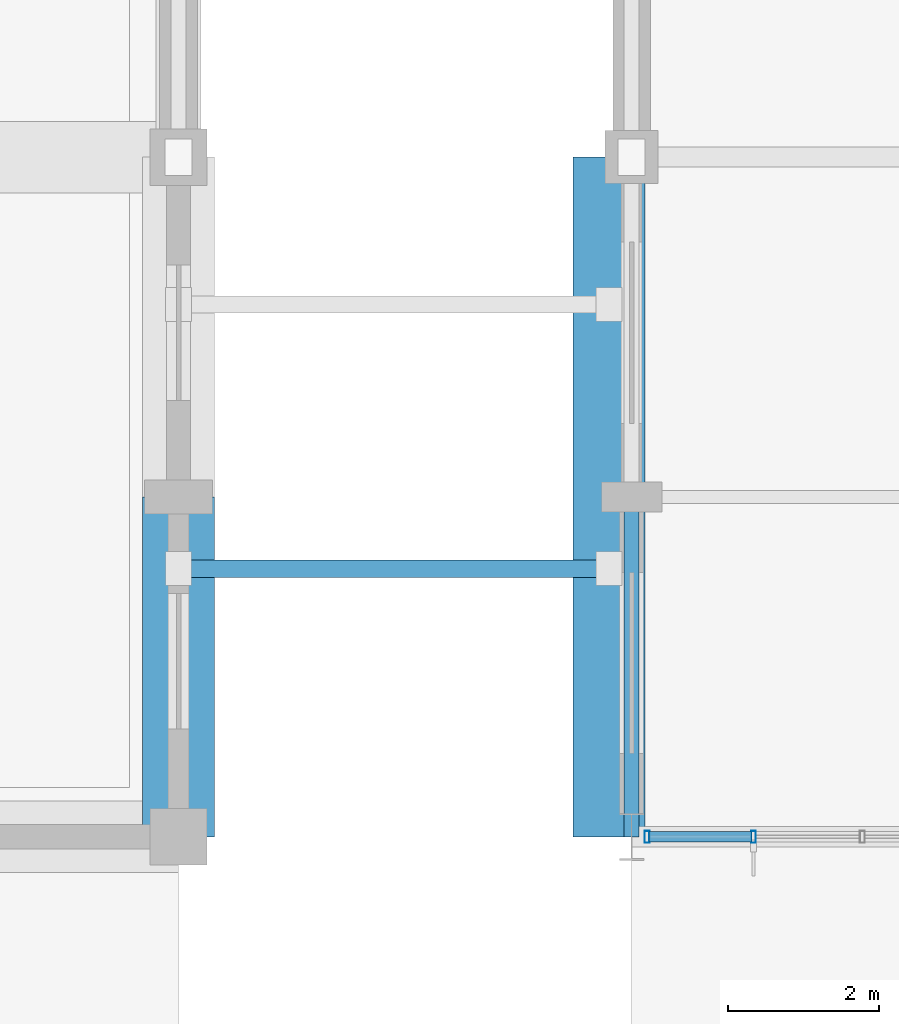
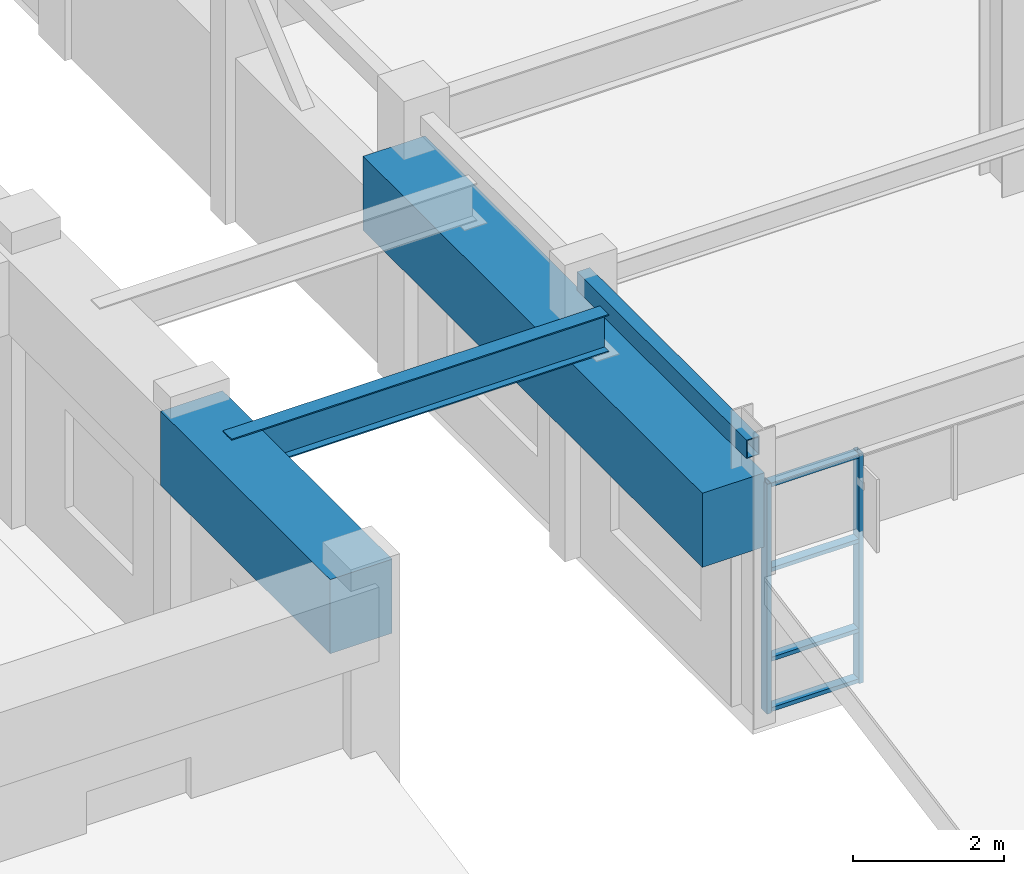
# One storey, part 54 of 104: 6 members, 4 beams, 1 element without a shape of its own.
"""IFC4 building model written with IfcOpenShell, lengths in metres."""

from ifc_helpers import new_model, si_unit, direction, frame, origin, origin_2d, place, context, subcontext, project, spatial, rectangle, hollow_rectangle, i_section, extrude, material, layer, layer_set, material_profile, profile_set, type_object, element, aggregate, save


model = new_model("IFC4")

# Units and contexts
model_context = context("Model", 3, precision=1e-05, world=origin(), true_north=direction((0.0, 1.0)))
body_context = subcontext(model_context, "Body", "Model", "MODEL_VIEW")
ifc_project = project(units=[si_unit("LENGTHUNIT", "METRE"), si_unit("AREAUNIT", "SQUARE_METRE"), si_unit("VOLUMEUNIT", "CUBIC_METRE"), si_unit("PLANEANGLEUNIT", "RADIAN"), si_unit("MASSUNIT", "GRAM", prefix="KILO")], contexts=[model_context])

# Site, building, storey
site_placement = place(None, origin())
site = spatial("IfcSite", under=ifc_project, at=site_placement, CompositionType="ELEMENT")
building_placement = place(site_placement, origin())
building = spatial("IfcBuilding", under=site, at=building_placement, Name="Ventoquebrada Cableway Terminal", CompositionType="ELEMENT")
storey_placement = place(building_placement, frame((0.0, 0.0, 4.800048828125)))
storey = spatial("IfcBuildingStorey", under=building, at=storey_placement, Name="L01", CompositionType="ELEMENT", Elevation=4.800048828125)

# Beams
ifc_material_1 = material(Name="Concrete C40/50", Category="concrete")
ifc_material_profile_1 = material_profile(ifc_material_1, rectangle(XDim=0.949951171875, YDim=1.199951171875, at=origin_2d()), Name="RC-BM-950X1200")
ifc_profile_set_1 = profile_set([ifc_material_profile_1], Name="Concrete C40/50")
beam_type_1 = type_object("IfcBeamType", Name="BM-RC06", PredefinedType="BEAM", material=ifc_profile_set_1)
beam_1_placement = place(storey_placement, frame((123.0, 77.0, 3.849853515625), z_axis=(0.0, 1.0, 0.0), x_axis=(-1.0, 0.0, 0.0)))
element("IfcBeam", 1, at=beam_1_placement, inside=storey, type_object=beam_type_1, Name="Perimeter spandrel beam FBM-0658", PredefinedType="BEAM", context=body_context, shape_type="SweptSolid", body=[
    extrude(rectangle(XDim=0.949951171875, YDim=1.199951171875, at=origin_2d()), origin(), (0.0, 0.0, 1.0), 4.5),
])
beam_2_placement = place(storey_placement, frame((128.699951171875, 77.0, 3.2529296875), z_axis=(0.0, 1.0, 0.0), x_axis=(-1.0, 0.0, 0.0)))
element("IfcBeam", 2, at=beam_2_placement, inside=storey, type_object=beam_type_1, Name="Seismic joint corbel girder LP-4 FBM-1121", PredefinedType="BEAM", context=body_context, shape_type="SweptSolid", body=[
    extrude(rectangle(XDim=0.949951171875, YDim=1.199951171875, at=origin_2d()), origin(), (0.0, 0.0, 1.0), 9.0),
])
ifc_material_2 = material(Name="Steel ASTM A992 Grade 50", Category="steel")
ifc_material_profile_2 = material_profile(ifc_material_2, i_section(OverallWidth=0.22900390625, OverallDepth=0.612060546875, WebThickness=0.011962890625, FlangeThickness=0.01953125, at=origin_2d()), Name="W24X84")
ifc_profile_set_2 = profile_set([ifc_material_profile_2], Name="Steel ASTM A992 Grade 50")
beam_type_2 = type_object("IfcBeamType", Name="BM-ST02", PredefinedType="BEAM", material=ifc_profile_set_2)
beam_3_placement = place(storey_placement, frame((123.0, 80.550048828125, 4.1689453125), z_axis=(1.0, 0.0, 0.0), x_axis=(0.0, 1.0, 0.0)))
element("IfcBeam", 3, at=beam_3_placement, inside=storey, type_object=beam_type_2, Name="Link bridge girder LP-4 FBM-1124", PredefinedType="BEAM", context=body_context, shape_type="SweptSolid", body=[
    extrude(i_section(OverallWidth=0.22900390625, OverallDepth=0.612060546875, WebThickness=0.011962890625, FlangeThickness=0.01953125, at=origin_2d()), origin(), (0.0, 0.0, 1.0), 5.77490234375),
])

# Curtain wall, members
ifc_material_3 = material(Name="Anodized thermally-broken aluminium", Category="aluminium")
ifc_layer = layer(ifc_material_3, 0.159912109375)
ifc_layer_set = layer_set([ifc_layer], Name="Anodized thermally-broken aluminium")
curtain_wall_type = type_object("IfcCurtainWallType", Name="CW-T30", PredefinedType="USERDEFINED", material=ifc_layer_set)
curtain_wall_placement = place(storey_placement, origin())
curtain_wall = element("IfcCurtainWall", 4, at=curtain_wall_placement, inside=storey, type_object=curtain_wall_type, Name="Unitised glazed curtain wall CW-073", ObjectType="UNITISED CURTAIN WALL", PredefinedType="USERDEFINED")
ifc_material_profile_3 = material_profile(ifc_material_3, hollow_rectangle(XDim=0.06494140625, YDim=0.159912109375, WallThickness=0.00390625, at=origin_2d()), Name="CW-MUL-65X160")
ifc_profile_set_3 = profile_set([ifc_material_profile_3], Name="Anodized thermally-broken aluminium")
member_type_1 = type_object("IfcMemberType", Name="CWM-01", PredefinedType="MULLION", material=ifc_profile_set_3)
member_1_placement = place(storey_placement, frame((129.2041015625, 77.0, -0.008056640625), z_axis=(0.0, 0.0, 1.0), x_axis=(1.0, 0.0, 0.0)))
member_1 = element("IfcMember", 5, at=member_1_placement, type_object=member_type_1, Name="Curtain wall mullion FML-0340", PredefinedType="MULLION", context=body_context, shape_type="SweptSolid", body=[
    extrude(hollow_rectangle(XDim=0.06494140625, YDim=0.159912109375, WallThickness=0.00390625, at=origin_2d()), origin(), (0.0, 0.0, 1.0), 3.720947265625),
])
member_2_placement = place(storey_placement, frame((130.613037109375, 77.0, -0.008056640625), z_axis=(0.0, 0.0, 1.0), x_axis=(1.0, 0.0, 0.0)))
member_2 = element("IfcMember", 6, at=member_2_placement, type_object=member_type_1, Name="Curtain wall mullion FML-0341", PredefinedType="MULLION", context=body_context, shape_type="SweptSolid", body=[
    extrude(hollow_rectangle(XDim=0.06494140625, YDim=0.159912109375, WallThickness=0.00390625, at=origin_2d()), origin(), (0.0, 0.0, 1.0), 3.720947265625),
])
ifc_material_profile_4 = material_profile(ifc_material_3, hollow_rectangle(XDim=0.06494140625, YDim=0.139892578125, WallThickness=0.00390625, at=origin_2d()), Name="CW-TRN-65X140")
ifc_profile_set_4 = profile_set([ifc_material_profile_4], Name="Anodized thermally-broken aluminium")
member_type_2 = type_object("IfcMemberType", Name="CWT-01", PredefinedType="USERDEFINED", material=ifc_profile_set_4)
member_3_placement = place(storey_placement, frame((129.23193359375, 77.0, 0.034912109375), z_axis=(1.0, 0.0, 0.0), x_axis=(0.0, 0.0, 1.0)))
member_3 = element("IfcMember", 7, at=member_3_placement, type_object=member_type_2, Name="Curtain wall transom FTR-0976", ObjectType="TRANSOM", PredefinedType="USERDEFINED", context=body_context, shape_type="SweptSolid", body=[
    extrude(hollow_rectangle(XDim=0.06494140625, YDim=0.139892578125, WallThickness=0.00390625, at=origin_2d()), origin(), (0.0, 0.0, 1.0), 1.35302734375),
])
member_4_placement = place(storey_placement, frame((129.23193359375, 77.0, 0.849853515625), z_axis=(1.0, 0.0, 0.0), x_axis=(0.0, 0.0, 1.0)))
member_4 = element("IfcMember", 8, at=member_4_placement, type_object=member_type_2, Name="Curtain wall transom FTR-0977", ObjectType="TRANSOM", PredefinedType="USERDEFINED", context=body_context, shape_type="SweptSolid", body=[
    extrude(hollow_rectangle(XDim=0.06494140625, YDim=0.139892578125, WallThickness=0.00390625, at=origin_2d()), origin(), (0.0, 0.0, 1.0), 1.35302734375),
])
member_5_placement = place(storey_placement, frame((129.23193359375, 77.0, 2.299072265625), z_axis=(1.0, 0.0, 0.0), x_axis=(0.0, 0.0, 1.0)))
member_5 = element("IfcMember", 9, at=member_5_placement, type_object=member_type_2, Name="Curtain wall transom FTR-0978", ObjectType="TRANSOM", PredefinedType="USERDEFINED", context=body_context, shape_type="SweptSolid", body=[
    extrude(hollow_rectangle(XDim=0.06494140625, YDim=0.139892578125, WallThickness=0.00390625, at=origin_2d()), origin(), (0.0, 0.0, 1.0), 1.35302734375),
])
member_6_placement = place(storey_placement, frame((129.23193359375, 77.0, 3.6728515625), z_axis=(1.0, 0.0, 0.0), x_axis=(0.0, 0.0, 1.0)))
member_6 = element("IfcMember", 10, at=member_6_placement, type_object=member_type_2, Name="Curtain wall transom FTR-0979", ObjectType="TRANSOM", PredefinedType="USERDEFINED", context=body_context, shape_type="SweptSolid", body=[
    extrude(hollow_rectangle(XDim=0.06494140625, YDim=0.139892578125, WallThickness=0.00390625, at=origin_2d()), origin(), (0.0, 0.0, 1.0), 1.35302734375),
])
aggregate(curtain_wall, [member_1, member_2, member_3, member_4, member_5, member_6])

# Beam
ifc_material_4 = material(Name="Steel ASTM A500 Grade C", Category="steel")
ifc_material_profile_5 = material_profile(ifc_material_4, hollow_rectangle(XDim=0.199951171875, YDim=0.300048828125, WallThickness=0.012451171875, at=origin_2d()), Name="RHS300X200X12.5")
ifc_profile_set_5 = profile_set([ifc_material_profile_5], Name="Steel ASTM A500 Grade C")
beam_type_3 = type_object("IfcBeamType", Name="SP-ST02", PredefinedType="SPANDREL", material=ifc_profile_set_5)
beam_4_placement = place(storey_placement, frame((129.0, 77.0, 4.324951171875), z_axis=(0.0, 1.0, 0.0), x_axis=(-1.0, 0.0, 0.0)))
element("IfcBeam", 11, at=beam_4_placement, inside=storey, type_object=beam_type_3, Name="Perimeter spandrel beam FBM-0842", PredefinedType="SPANDREL", context=body_context, shape_type="SweptSolid", body=[
    extrude(hollow_rectangle(XDim=0.199951171875, YDim=0.300048828125, WallThickness=0.012451171875, at=origin_2d()), origin(), (0.0, 0.0, 1.0), 4.5),
])

save(model, "model.ifc")
